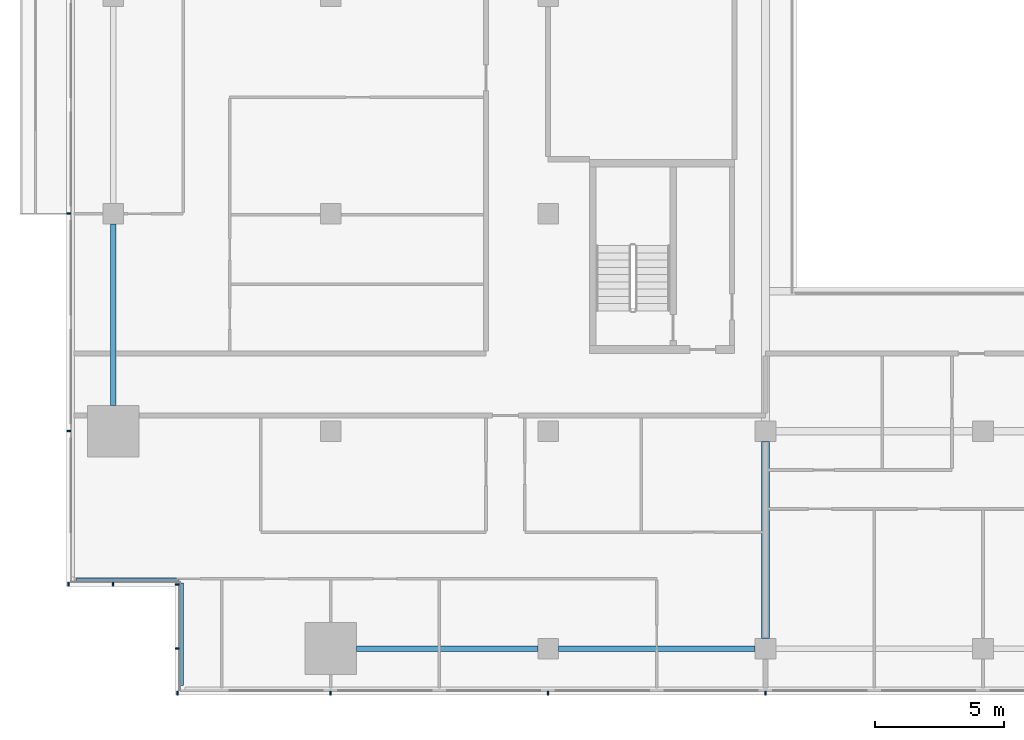
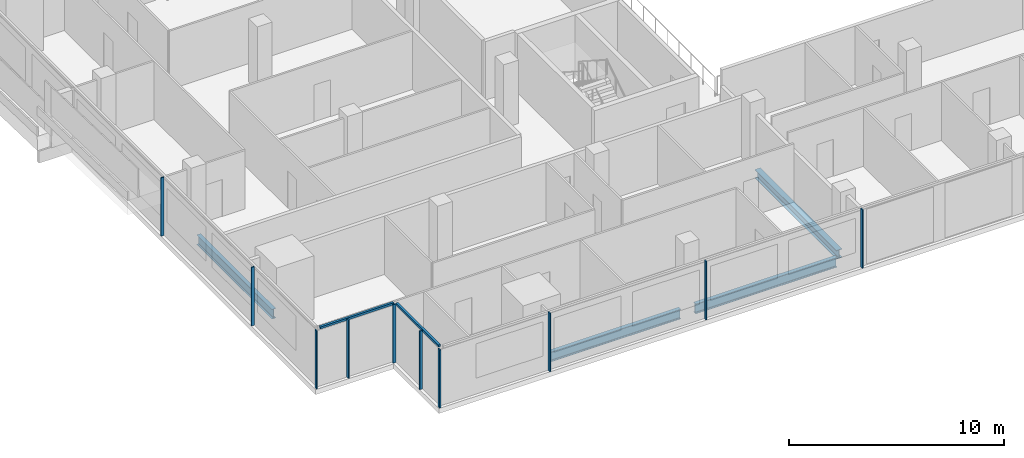
# One storey, part 2 of 25: 12 members, 4 beams, 4 elements without a shape of their own.
"""IFC4 building model written with IfcOpenShell, lengths in metres."""

from ifc_helpers import new_model, si_unit, direction, frame, origin, origin_2d, place, context, subcontext, project, spatial, rectangle, i_section, extrude, material, material_profile, profile_set, type_object, element, aggregate, save


model = new_model("IFC4")

# Units and contexts
model_context = context("Model", 3, precision=1e-05, world=origin(), true_north=direction((0.0, 1.0)))
body_context = subcontext(model_context, "Body", "Model", "MODEL_VIEW")
ifc_project = project(units=[si_unit("LENGTHUNIT", "METRE"), si_unit("AREAUNIT", "SQUARE_METRE"), si_unit("VOLUMEUNIT", "CUBIC_METRE"), si_unit("PLANEANGLEUNIT", "RADIAN"), si_unit("MASSUNIT", "GRAM", prefix="KILO")], contexts=[model_context])

# Site, building, storey
site_placement = place(None, origin())
site = spatial("IfcSite", under=ifc_project, at=site_placement, CompositionType="ELEMENT")
building_placement = place(site_placement, origin())
building = spatial("IfcBuilding", under=site, at=building_placement, Name="Saffron Gate Tower", CompositionType="ELEMENT")
storey_placement = place(building_placement, frame((0.0, 0.0, 131.25)))
storey = spatial("IfcBuildingStorey", under=building, at=storey_placement, Name="L31", CompositionType="ELEMENT", Elevation=131.25)

# Beams
ifc_material_1 = material(Name="Structural steel S355", Category="steel")
ifc_material_profile_1 = material_profile(ifc_material_1, i_section(OverallWidth=0.2099609375, OverallDepth=0.550048828125, WebThickness=0.010986328125, FlangeThickness=0.01708984375, FilletRadius=0.02392578125, at=origin_2d()))
ifc_profile_set_1 = profile_set([ifc_material_profile_1], Name="Structural steel S355")
beam_type_1 = type_object("IfcBeamType", Name="B13 IPE 550", PredefinedType="SPANDREL", material=ifc_profile_set_1)
for number, where, z_axis, x_axis, name in (
    (1, (49.800048828125, 41.199951171875, -0.554931640625), (0.0, 1.0, 0.0), (-1.0, 0.0, 0.0), "B13 SPANDREL BEAM"),
    (2, (59.199951171875, 31.800048828125, -0.554931640625), (1.0, 0.0, 0.0), (0.0, 1.0, 0.0), "B13 SPANDREL BEAM"),
):
    element("IfcBeam", number, at=place(storey_placement, frame(where, z_axis=z_axis, x_axis=x_axis)), inside=storey, type_object=beam_type_1, Name=name, PredefinedType="SPANDREL", context=body_context, shape_type="SweptSolid", body=[
        extrude(i_section(OverallWidth=0.2099609375, OverallDepth=0.550048828125, WebThickness=0.010986328125, FlangeThickness=0.01708984375, FilletRadius=0.02392578125, at=origin_2d()), origin(), (0.0, 0.0, 1.0), 7.0),
    ])
beam_1_placement = place(storey_placement, frame((67.0, 31.800048828125, -0.554931640625), z_axis=(1.0, 0.0, 0.0), x_axis=(0.0, 1.0, 0.0)))
element("IfcBeam", 3, at=beam_1_placement, inside=storey, type_object=beam_type_1, Name="B13 SPANDREL BEAM", PredefinedType="SPANDREL", context=body_context, shape_type="SweptSolid", body=[
    extrude(i_section(OverallWidth=0.2099609375, OverallDepth=0.550048828125, WebThickness=0.010986328125, FlangeThickness=0.01708984375, FilletRadius=0.02392578125, at=origin_2d()), origin(), (0.0, 0.0, 1.0), 7.60009765625),
])
ifc_material_profile_2 = material_profile(ifc_material_1, i_section(OverallWidth=0.300048828125, OverallDepth=0.489990234375, WebThickness=0.011962890625, FlangeThickness=0.02294921875, FilletRadius=0.027099609375, at=origin_2d()))
ifc_profile_set_2 = profile_set([ifc_material_profile_2], Name="Structural steel S355")
beam_type_2 = type_object("IfcBeamType", Name="B8 HEA 500", PredefinedType="BEAM", material=ifc_profile_set_2)
beam_2_placement = place(storey_placement, frame((75.0, 32.199951171875, -0.52490234375), z_axis=(0.0, 1.0, 0.0), x_axis=(-1.0, 0.0, 0.0)))
element("IfcBeam", 4, at=beam_2_placement, inside=storey, type_object=beam_type_2, Name="B8 FLOOR GIRDER", PredefinedType="BEAM", context=body_context, shape_type="SweptSolid", body=[
    extrude(i_section(OverallWidth=0.300048828125, OverallDepth=0.489990234375, WebThickness=0.011962890625, FlangeThickness=0.02294921875, FilletRadius=0.027099609375, at=origin_2d()), origin(), (0.0, 0.0, 1.0), 7.60009765625),
])

# Curtain wall, members
ifc_material_2 = material(Name="Aluminium, bronze anodised", Category="aluminium")
curtain_wall_type_1 = type_object("IfcCurtainWallType", Name="CWS1 curtain wall front facade", PredefinedType="NOTDEFINED", material=ifc_material_2)
curtain_wall_1_placement = place(storey_placement, origin())
curtain_wall_1 = element("IfcCurtainWall", 5, at=curtain_wall_1_placement, inside=storey, type_object=curtain_wall_type_1, Name="CWS1 run 1", PredefinedType="NOTDEFINED")
ifc_material_profile_3 = material_profile(ifc_material_2, rectangle(XDim=0.159912109375, YDim=0.06005859375, at=origin_2d()))
ifc_profile_set_3 = profile_set([ifc_material_profile_3], Name="Aluminium, bronze anodised")
member_type_1 = type_object("IfcMemberType", Name="CWS1 mullion 60x160", PredefinedType="MULLION", material=ifc_profile_set_3)
member_1_placement = place(storey_placement, frame((52.280029296875, 30.080078125, 0.0), z_axis=(0.0, 0.0, 1.0), x_axis=(0.0, 1.0, 0.0)))
member_1 = element("IfcMember", 6, at=member_1_placement, type_object=member_type_1, Name="CWS1 mullion 1", PredefinedType="MULLION", context=body_context, shape_type="SweptSolid", body=[
    extrude(rectangle(XDim=0.159912109375, YDim=0.06005859375, at=origin_2d()), origin(), (0.0, 0.0, 1.0), 3.320068359375),
])
member_2_placement = place(storey_placement, frame((58.199951171875, 30.080078125, 0.0), z_axis=(0.0, 0.0, 1.0), x_axis=(0.0, 1.0, 0.0)))
member_2 = element("IfcMember", 7, at=member_2_placement, type_object=member_type_1, Name="CWS1 mullion 2", PredefinedType="MULLION", context=body_context, shape_type="SweptSolid", body=[
    extrude(rectangle(XDim=0.159912109375, YDim=0.06005859375, at=origin_2d()), origin(), (0.0, 0.0, 1.0), 3.320068359375),
])
member_3_placement = place(storey_placement, frame((66.60009765625, 30.080078125, 0.0), z_axis=(0.0, 0.0, 1.0), x_axis=(0.0, 1.0, 0.0)))
member_3 = element("IfcMember", 8, at=member_3_placement, type_object=member_type_1, Name="CWS1 mullion 3", PredefinedType="MULLION", context=body_context, shape_type="SweptSolid", body=[
    extrude(rectangle(XDim=0.159912109375, YDim=0.06005859375, at=origin_2d()), origin(), (0.0, 0.0, 1.0), 3.320068359375),
])
member_4_placement = place(storey_placement, frame((75.0, 30.080078125, 0.0), z_axis=(0.0, 0.0, 1.0), x_axis=(0.0, 1.0, 0.0)))
member_4 = element("IfcMember", 9, at=member_4_placement, type_object=member_type_1, Name="CWS1 mullion 4", PredefinedType="MULLION", context=body_context, shape_type="SweptSolid", body=[
    extrude(rectangle(XDim=0.159912109375, YDim=0.06005859375, at=origin_2d()), origin(), (0.0, 0.0, 1.0), 3.320068359375),
])
aggregate(curtain_wall_1, [member_1, member_2, member_3, member_4])

curtain_wall_type_2 = type_object("IfcCurtainWallType", Name="CWS2 curtain wall side facades", PredefinedType="NOTDEFINED", material=ifc_material_2)
curtain_wall_2_placement = place(storey_placement, origin())
curtain_wall_2 = element("IfcCurtainWall", 10, at=curtain_wall_2_placement, inside=storey, type_object=curtain_wall_type_2, Name="CWS2 run 10", PredefinedType="NOTDEFINED")
ifc_material_profile_4 = material_profile(ifc_material_2, rectangle(XDim=0.159912109375, YDim=0.06005859375, at=origin_2d()))
ifc_profile_set_4 = profile_set([ifc_material_profile_4], Name="Aluminium, bronze anodised")
member_type_2 = type_object("IfcMemberType", Name="CWS2 mullion 60x160", PredefinedType="MULLION", material=ifc_profile_set_4)
member_5_placement = place(storey_placement, frame((48.080078125, 48.60009765625, 0.0), z_axis=(0.0, 0.0, 1.0), x_axis=(1.0, 0.0, 0.0)))
member_5 = element("IfcMember", 11, at=member_5_placement, type_object=member_type_2, Name="CWS2 mullion 4", PredefinedType="MULLION", context=body_context, shape_type="SweptSolid", body=[
    extrude(rectangle(XDim=0.159912109375, YDim=0.06005859375, at=origin_2d()), origin(), (0.0, 0.0, 1.0), 3.320068359375),
])
member_6_placement = place(storey_placement, frame((48.080078125, 40.199951171875, 0.0), z_axis=(0.0, 0.0, 1.0), x_axis=(1.0, 0.0, 0.0)))
member_6 = element("IfcMember", 12, at=member_6_placement, type_object=member_type_2, Name="CWS2 mullion 5", PredefinedType="MULLION", context=body_context, shape_type="SweptSolid", body=[
    extrude(rectangle(XDim=0.159912109375, YDim=0.06005859375, at=origin_2d()), origin(), (0.0, 0.0, 1.0), 3.320068359375),
])
aggregate(curtain_wall_2, [member_5, member_6])

# Curtain wall, member
curtain_wall_type_3 = type_object("IfcCurtainWallType", Name="CWS4 curtain wall corner returns", PredefinedType="NOTDEFINED", material=ifc_material_2)
curtain_wall_3_placement = place(storey_placement, origin())
curtain_wall_3 = element("IfcCurtainWall", 13, at=curtain_wall_3_placement, inside=storey, type_object=curtain_wall_type_3, Name="CWS4 run 11", PredefinedType="NOTDEFINED")
ifc_material_profile_5 = material_profile(ifc_material_2, rectangle(XDim=0.1201171875, YDim=0.1201171875, at=origin_2d()))
ifc_profile_set_5 = profile_set([ifc_material_profile_5], Name="Aluminium, bronze anodised")
member_type_3 = type_object("IfcMemberType", Name="CWS4 head transom", PredefinedType="USERDEFINED", material=ifc_profile_set_5)
member_7_placement = place(storey_placement, frame((48.367919921875, 34.447998046875, 3.260009765625), z_axis=(1.0, 0.0, 0.0), x_axis=(0.0, 1.0, 0.0)))
member_7 = element("IfcMember", 14, at=member_7_placement, type_object=member_type_3, Name="CWS4 head transom", ObjectType="TRANSOM", PredefinedType="USERDEFINED", context=body_context, shape_type="SweptSolid", body=[
    extrude(rectangle(XDim=0.1201171875, YDim=0.1201171875, at=origin_2d()), origin(), (0.0, 0.0, 1.0), 3.9599609375),
])

curtain_wall_4_placement = place(storey_placement, origin())
curtain_wall_4 = element("IfcCurtainWall", 15, at=curtain_wall_4_placement, inside=storey, type_object=curtain_wall_type_3, Name="CWS4 run 12", PredefinedType="NOTDEFINED")
member_8_placement = place(storey_placement, frame((52.447998046875, 34.327880859375, 3.260009765625), z_axis=(0.0, -1.0, 0.0), x_axis=(1.0, 0.0, 0.0)))
member_8 = element("IfcMember", 16, at=member_8_placement, type_object=member_type_3, Name="CWS4 head transom", ObjectType="TRANSOM", PredefinedType="USERDEFINED", context=body_context, shape_type="SweptSolid", body=[
    extrude(rectangle(XDim=0.1201171875, YDim=0.1201171875, at=origin_2d()), origin(), (0.0, 0.0, 1.0), 3.9599609375),
])

# Member
ifc_material_profile_6 = material_profile(ifc_material_2, rectangle(XDim=0.159912109375, YDim=0.06005859375, at=origin_2d()))
ifc_profile_set_6 = profile_set([ifc_material_profile_6], Name="Aluminium, bronze anodised")
member_type_4 = type_object("IfcMemberType", Name="CWS4 mullion 60x160", PredefinedType="MULLION", material=ifc_profile_set_6)
member_9_placement = place(storey_placement, frame((48.080078125, 34.280029296875, 0.0), z_axis=(0.0, 0.0, 1.0), x_axis=(0.0, 1.0, 0.0)))
member_9 = element("IfcMember", 17, at=member_9_placement, type_object=member_type_4, Name="CWS4 mullion 1", PredefinedType="MULLION", context=body_context, shape_type="SweptSolid", body=[
    extrude(rectangle(XDim=0.159912109375, YDim=0.06005859375, at=origin_2d()), origin(), (0.0, 0.0, 1.0), 3.320068359375),
])

member_10_placement = place(storey_placement, frame((49.800048828125, 34.280029296875, 0.0), z_axis=(0.0, 0.0, 1.0), x_axis=(0.0, 1.0, 0.0)))
member_10 = element("IfcMember", 18, at=member_10_placement, type_object=member_type_4, Name="CWS4 mullion 2", PredefinedType="MULLION", context=body_context, shape_type="SweptSolid", body=[
    extrude(rectangle(XDim=0.159912109375, YDim=0.06005859375, at=origin_2d()), origin(), (0.0, 0.0, 1.0), 3.320068359375),
])

aggregate(curtain_wall_3, [member_9, member_10, member_7])

member_11_placement = place(storey_placement, frame((52.280029296875, 34.280029296875, 0.0), z_axis=(0.0, 0.0, 1.0), x_axis=(1.0, 0.0, 0.0)))
member_11 = element("IfcMember", 19, at=member_11_placement, type_object=member_type_4, Name="CWS4 mullion 1", PredefinedType="MULLION", context=body_context, shape_type="SweptSolid", body=[
    extrude(rectangle(XDim=0.159912109375, YDim=0.06005859375, at=origin_2d()), origin(), (0.0, 0.0, 1.0), 3.320068359375),
])

member_12_placement = place(storey_placement, frame((52.280029296875, 31.800048828125, 0.0), z_axis=(0.0, 0.0, 1.0), x_axis=(1.0, 0.0, 0.0)))
member_12 = element("IfcMember", 20, at=member_12_placement, type_object=member_type_4, Name="CWS4 mullion 2", PredefinedType="MULLION", context=body_context, shape_type="SweptSolid", body=[
    extrude(rectangle(XDim=0.159912109375, YDim=0.06005859375, at=origin_2d()), origin(), (0.0, 0.0, 1.0), 3.320068359375),
])

aggregate(curtain_wall_4, [member_11, member_12, member_8])

save(model, "model.ifc")
